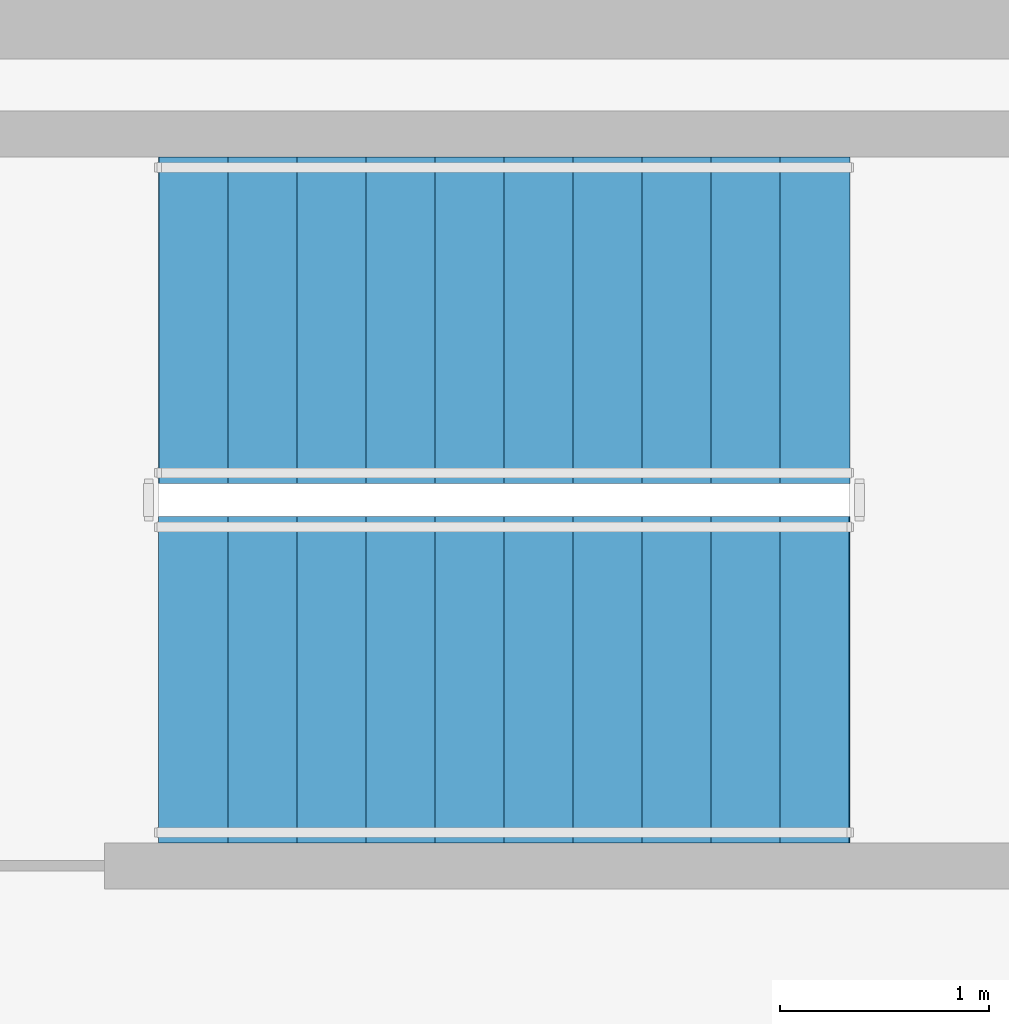
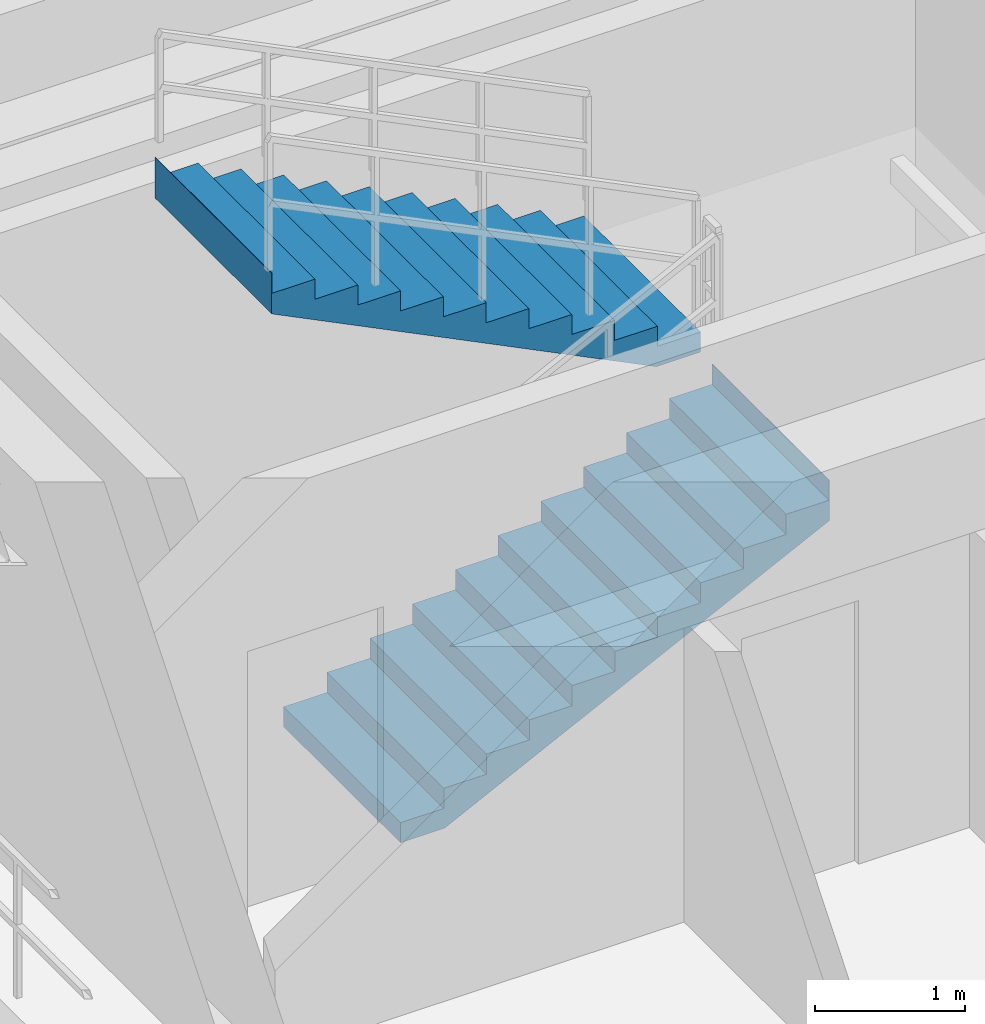
# One storey, part 24 of 28: 2 stair flights, 1 element without a shape of its own.
"""IFC4 building model written with IfcOpenShell, lengths in metres."""

from ifc_helpers import new_model, si_unit, direction, frame, origin, place, context, subcontext, project, spatial, polyline, outline, extrude, source, transform, mapped, material, type_object, element, aggregate, save


model = new_model("IFC4")

# Units and contexts
model_context = context("Model", 3, precision=1e-05, world=origin(), true_north=direction((0.0, 1.0)))
body_context = subcontext(model_context, "Body", "Model", "MODEL_VIEW")
ifc_project = project(units=[si_unit("LENGTHUNIT", "METRE"), si_unit("AREAUNIT", "SQUARE_METRE"), si_unit("VOLUMEUNIT", "CUBIC_METRE"), si_unit("PLANEANGLEUNIT", "RADIAN"), si_unit("MASSUNIT", "GRAM", prefix="KILO")], contexts=[model_context])

# Site, building, storey
site_placement = place(None, origin())
site = spatial("IfcSite", under=ifc_project, at=site_placement, CompositionType="ELEMENT")
building_placement = place(site_placement, origin())
building = spatial("IfcBuilding", under=site, at=building_placement, Name="Ocotamira Hotel", CompositionType="ELEMENT")
storey_placement = place(building_placement, frame((0.0, 0.0, 240.0)))
storey = spatial("IfcBuildingStorey", under=building, at=storey_placement, Name="L60", CompositionType="ELEMENT", Elevation=240.0)

# Stair, stair flights
ifc_material = material(Name="Concrete C40/50", Category="concrete")
stair_type = type_object("IfcStairType", Name="ST-CORE-1560", PredefinedType="HALF_TURN_STAIR", material=ifc_material)
stair_placement = place(storey_placement, origin())
stair = element("IfcStair", 1, at=stair_placement, inside=storey, type_object=stair_type, Name="L60 Exit Stair ST-4", PredefinedType="HALF_TURN_STAIR")
stair_flight_type = type_object("IfcStairFlightType", Name="STF-CORE-1560", PredefinedType="STRAIGHT", material=ifc_material)
shared_shape = source(origin(), body_context, "Body", "SweptSolid", [
    extrude(outline(polyline([(-0.00390625, 0.0), (-0.00390625, 0.16357421875), (0.330078125, 0.16357421875), (0.330078125, 0.327392578125), (0.659912109375, 0.327392578125), (0.659912109375, 0.490966796875), (0.989990234375, 0.490966796875), (0.989990234375, 0.654541015625), (1.320068359375, 0.654541015625), (1.320068359375, 0.818115234375), (1.64990234375, 0.818115234375), (1.64990234375, 0.98193359375), (1.97998046875, 0.98193359375), (1.97998046875, 1.1455078125), (2.31005859375, 1.1455078125), (2.31005859375, 1.30908203125), (2.639892578125, 1.30908203125), (2.639892578125, 1.47265625), (2.969970703125, 1.47265625), (2.969970703125, 1.636474609375), (3.300048828125, 1.636474609375), (3.300048828125, 1.800048828125), (3.303955078125, 1.800048828125), (3.303955078125, 1.468994140625), (0.33740234375, 0.0), (-0.00390625, 0.0)])), frame((0.0, 0.780029296875, 0.0), z_axis=(0.0, -1.0, 0.0), x_axis=(1.0, 0.0, 0.0)), (0.0, 0.0, 1.0), 1.56005859375),
])
stair_flight_1_placement = place(storey_placement, frame((43.22998046875, 33.830078125, 0.0), z_axis=(0.0, 0.0, 1.0), x_axis=(1.0, 0.0, 0.0)))
stair_flight_1 = element("IfcStairFlight", 2, at=stair_flight_1_placement, type_object=stair_flight_type, Name="ST-4 flight 1", NumberOfRisers=11, NumberOfTreads=10, PredefinedType="STRAIGHT", RiserHeight=0.163636364, TreadLength=0.33, context=body_context, shape_type="MappedRepresentation", body=[
    mapped(shared_shape, transform((0.0, 0.0, 0.0), scale=1.0)),
])
stair_flight_2_placement = place(storey_placement, frame((46.530029296875, 35.550048828125, 1.800048828125), z_axis=(0.0, 0.0, 1.0), x_axis=(-1.0, 0.0, 0.0)))
stair_flight_2 = element("IfcStairFlight", 3, at=stair_flight_2_placement, type_object=stair_flight_type, Name="ST-4 flight 2", NumberOfRisers=11, NumberOfTreads=10, PredefinedType="STRAIGHT", RiserHeight=0.163636364, TreadLength=0.33, context=body_context, shape_type="MappedRepresentation", body=[
    mapped(shared_shape, transform((0.0, 0.0, 0.0), scale=1.0)),
])
aggregate(stair, [stair_flight_1, stair_flight_2])

save(model, "model.ifc")
